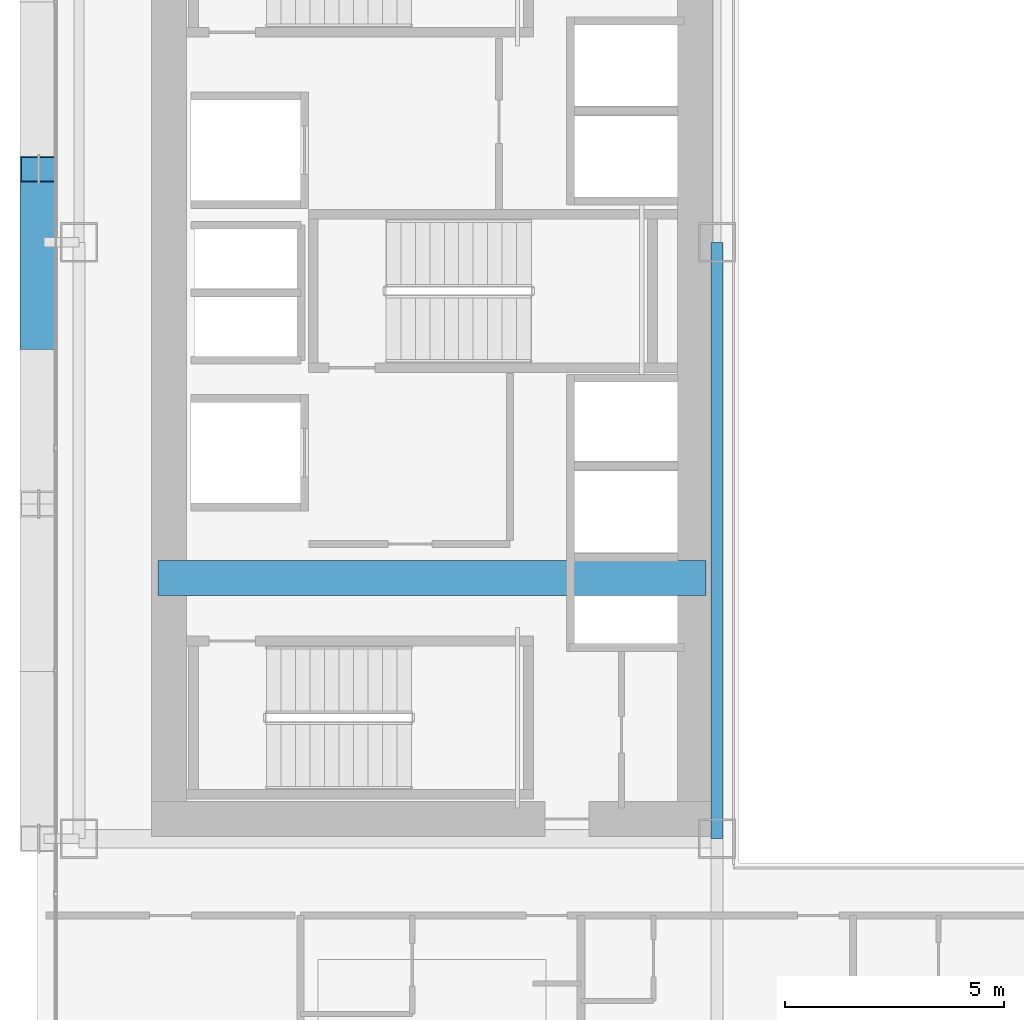
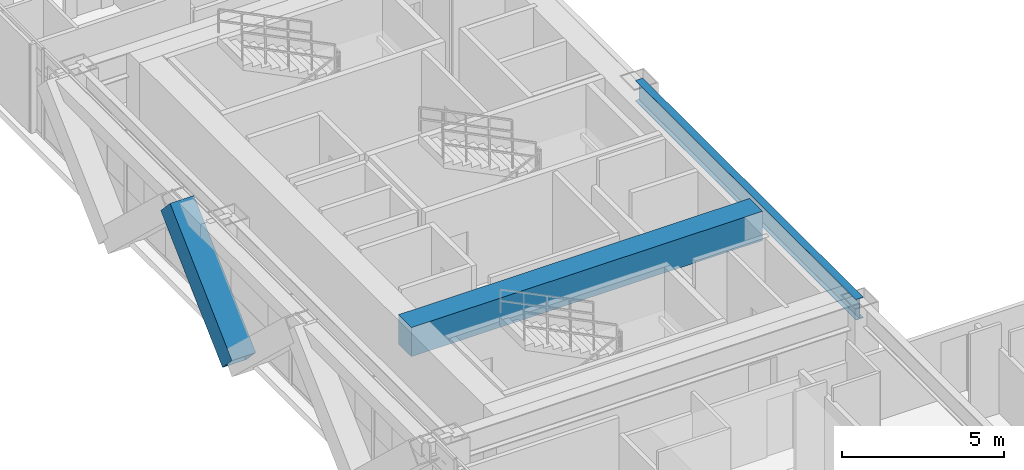
# One storey, part 7 of 38: 2 beams, 1 member.
"""IFC4 building model written with IfcOpenShell, lengths in metres."""

from ifc_helpers import new_model, si_unit, direction, frame, origin, origin_2d, place, context, subcontext, project, spatial, rectangle, hollow_rectangle, i_section, extrude, source, transform, mapped, material, material_profile, profile_set, type_object, element, save


model = new_model("IFC4")

# Units and contexts
model_context = context("Model", 3, precision=1e-05, world=origin(), true_north=direction((0.0, 1.0)))
body_context = subcontext(model_context, "Body", "Model", "MODEL_VIEW")
ifc_project = project(units=[si_unit("LENGTHUNIT", "METRE"), si_unit("AREAUNIT", "SQUARE_METRE"), si_unit("VOLUMEUNIT", "CUBIC_METRE"), si_unit("PLANEANGLEUNIT", "RADIAN"), si_unit("MASSUNIT", "GRAM", prefix="KILO")], contexts=[model_context])

# Site, building, storey
site_placement = place(None, origin())
site = spatial("IfcSite", under=ifc_project, at=site_placement, CompositionType="ELEMENT")
building_placement = place(site_placement, origin())
building = spatial("IfcBuilding", under=site, at=building_placement, Name="Ocotamira Hotel", CompositionType="ELEMENT")
storey_placement = place(building_placement, frame((0.0, 0.0, 45.60009765625)))
storey = spatial("IfcBuildingStorey", under=building, at=storey_placement, Name="L10", CompositionType="ELEMENT", Elevation=45.60009765625)

# Beams
ifc_material_1 = material(Name="Concrete C60/75", Category="concrete")
ifc_material_profile_1 = material_profile(ifc_material_1, rectangle(XDim=0.800048828125, YDim=1.10009765625, at=origin_2d()), Name="RC800X1100")
ifc_profile_set_1 = profile_set([ifc_material_profile_1], Name="Concrete C60/75")
beam_type_1 = type_object("IfcBeamType", Name="BM-LINK-RC800", PredefinedType="LINTEL", material=ifc_profile_set_1)
shared_shape_1 = source(origin(), body_context, "Body", "SweptSolid", [
    extrude(rectangle(XDim=0.800048828125, YDim=1.10009765625, at=origin_2d()), origin(), (0.0, 0.0, 1.0), 12.5),
])
beam_1_placement = place(storey_placement, frame((10.75, 20.5, 2.7998046875), z_axis=(1.0, 0.0, 0.0), x_axis=(0.0, 1.0, 0.0)))
element("IfcBeam", 1, at=beam_1_placement, inside=storey, type_object=beam_type_1, Name="L10 West Core Coupling Beam", PredefinedType="LINTEL", context=body_context, shape_type="MappedRepresentation", body=[
    mapped(shared_shape_1, transform((0.0, 0.0, 0.0), scale=1.0)),
])
ifc_material_2 = material(Name="Steel ASTM A992 Grade 50", Category="steel")
ifc_material_profile_2 = material_profile(ifc_material_2, i_section(OverallWidth=0.26611328125, OverallDepth=0.779052734375, WebThickness=0.0166015625, FlangeThickness=0.030029296875, FilletRadius=0.01806640625, at=origin_2d()), Name="W30X148")
ifc_profile_set_2 = profile_set([ifc_material_profile_2], Name="Steel ASTM A992 Grade 50")
beam_type_2 = type_object("IfcBeamType", Name="BM-GIRD-W30X148", PredefinedType="BEAM", material=ifc_profile_set_2)
shared_shape_2 = source(origin(), body_context, "Body", "SweptSolid", [
    extrude(i_section(OverallWidth=0.26611328125, OverallDepth=0.779052734375, WebThickness=0.0166015625, FlangeThickness=0.030029296875, FilletRadius=0.01806640625, at=origin_2d()), origin(), (0.0, 0.0, 1.0), 13.599853515625),
])
beam_2_placement = place(storey_placement, frame((23.5, 14.550048828125, 2.96044921875), z_axis=(0.0, 1.0, 0.0), x_axis=(-1.0, 0.0, 0.0)))
element("IfcBeam", 2, at=beam_2_placement, inside=storey, type_object=beam_type_2, Name="L10 Beam X23.5 Y14.55-28.15", PredefinedType="BEAM", context=body_context, shape_type="MappedRepresentation", body=[
    mapped(shared_shape_2, transform((0.0, 0.0, 0.0), scale=1.0)),
])

# Member
ifc_material_3 = material(Name="Pale-metal coated steel ASTM A913 Grade 65", Category="steel")
ifc_material_profile_3 = material_profile(ifc_material_3, hollow_rectangle(XDim=0.85009765625, YDim=0.85009765625, WallThickness=0.035888671875, at=origin_2d()), Name="BOX850X850X36")
ifc_profile_set_3 = profile_set([ifc_material_profile_3], Name="Pale-metal coated steel ASTM A913 Grade 65")
member_type = type_object("IfcMemberType", Name="MEM-EXO-BOX850", PredefinedType="BRACE", material=ifc_profile_set_3)
shared_shape_3 = source(origin(), body_context, "Body", "SweptSolid", [
    extrude(hollow_rectangle(XDim=0.85009765625, YDim=0.85009765625, WallThickness=0.035888671875, at=origin_2d()), origin(), (0.0, 0.0, 1.0), 5.24658203125),
])
member_placement = place(storey_placement, frame((8.030029296875, 26.0, -0.5), z_axis=(0.0, 0.72746596067, 0.686143772154), x_axis=(-1.0, 0.0, 0.0)))
element("IfcMember", 3, at=member_placement, inside=storey, type_object=member_type, Name="L10 Exoskeleton Diagrid W1.2", PredefinedType="BRACE", context=body_context, shape_type="MappedRepresentation", body=[
    mapped(shared_shape_3, transform((0.0, 0.0, 0.0), scale=1.0)),
])

save(model, "model.ifc")
